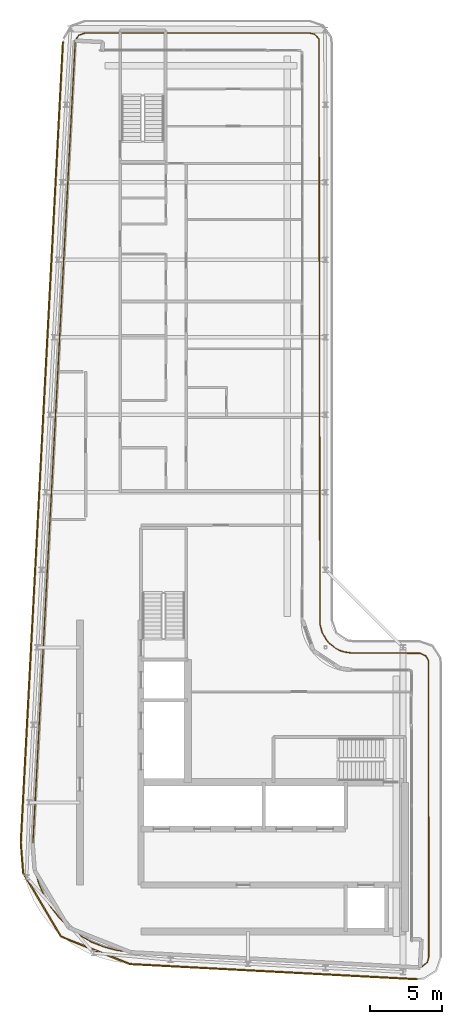
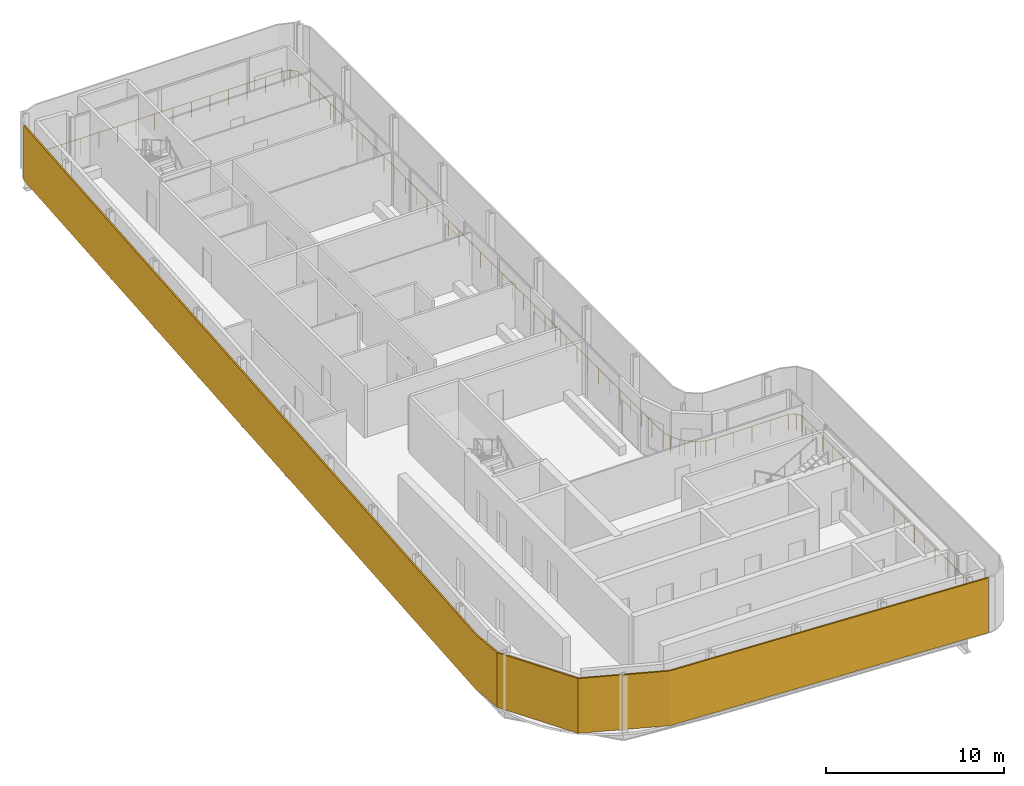
# One storey, part 14 of 17: 1 railing, 1 shading device.
"""IFC4 building model written with IfcOpenShell, lengths in metres."""

from ifc_helpers import new_model, si_unit, direction, frame, origin, origin_2d, place, context, subcontext, project, spatial, polyline, circle, outline, extrude, material, layer, layer_set, type_object, element, save


model = new_model("IFC4")

# Units and contexts
model_context = context("Model", 3, precision=1e-05, world=origin(), true_north=direction((0.0, 1.0)))
body_context = subcontext(model_context, "Body", "Model", "MODEL_VIEW")
ifc_project = project(units=[si_unit("LENGTHUNIT", "METRE"), si_unit("AREAUNIT", "SQUARE_METRE"), si_unit("VOLUMEUNIT", "CUBIC_METRE"), si_unit("PLANEANGLEUNIT", "RADIAN"), si_unit("MASSUNIT", "GRAM", prefix="KILO")], contexts=[model_context])

# Site, building, storey
site_placement = place(None, origin())
site = spatial("IfcSite", under=ifc_project, at=site_placement, CompositionType="ELEMENT")
building_placement = place(site_placement, origin())
building = spatial("IfcBuilding", under=site, at=building_placement, Name="Kheshtan School and Residences Tower", CompositionType="ELEMENT")
storey_placement = place(building_placement, frame((0.0, 0.0, 342.199951171875)))
storey = spatial("IfcBuildingStorey", under=building, at=storey_placement, Name="L80", CompositionType="ELEMENT", Elevation=342.199951171875)

# Shading device
ifc_material_1 = material(Name="Terracotta baguette, extruded ceramic", Category="masonry")
ifc_layer = layer(ifc_material_1, 0.10009765625)
ifc_layer_set = layer_set([ifc_layer], Name="Ledge screen, terracotta baguettes")
shading_device_type = type_object("IfcShadingDeviceType", Name="Ledge screen, terracotta baguettes", PredefinedType="USERDEFINED", material=ifc_layer_set)
shading_device_placement = place(storey_placement, origin())
element("IfcShadingDevice", 1, at=shading_device_placement, inside=storey, type_object=shading_device_type, Name="Screen L80 3", ObjectType="BAGUETTE", PredefinedType="USERDEFINED", context=body_context, shape_type="SweptSolid", body=[
    extrude(outline(polyline([(54.02099609375, 22.52490234375), (33.989013671875, 23.580078125), (29.2119140625, 25.486083984375), (26.583984375, 29.906982421875), (26.419921875, 31.989013671875), (29.35693359375, 87.779052734375), (29.257080078125, 87.783935546875), (26.320068359375, 31.988037109375), (26.486083984375, 29.8759765625), (29.14306640625, 25.406005859375), (33.967041015625, 23.48095703125), (54.01611328125, 22.425048828125), (54.02099609375, 22.52490234375)])), origin(), (0.0, 0.0, 1.0), 3.75),
])

# Railing
ifc_material_2 = material(Name="Stainless steel balustrade", Category="steel")
railing_type = type_object("IfcRailingType", Name="Loggia guard 1100", PredefinedType="GUARDRAIL", material=ifc_material_2)
railing_placement = place(storey_placement, frame((30.1689453125, 87.83203125, 0.0)))
element("IfcRailing", 2, at=railing_placement, inside=storey, type_object=railing_type, Name="Guard L80 1", PredefinedType="GUARDRAIL", context=body_context, shape_type="SweptSolid", body=[
    extrude(circle(Radius=0.02392578125, at=origin_2d()), frame((0.0, 0.0, 1.076171875), z_axis=(0.51100331778, 0.859578739394, 0.0), x_axis=(-0.859578739394, 0.51100331778, 0.0)), (0.0, 0.0, 1.0), 0.473388671875),
    extrude(circle(Radius=0.02392578125, at=origin_2d()), frame((0.241943359375, 0.406982421875, 1.076171875), z_axis=(0.946353513301, 0.323133142625, 0.0), x_axis=(-0.323133142625, 0.946353513301, 0.0)), (0.0, 0.0, 1.0), 0.497802734375),
    extrude(circle(Radius=0.02392578125, at=origin_2d()), frame((0.713134765625, 0.56787109375, 1.076171875), z_axis=(1.0, 0.0, 0.0), x_axis=(0.0, 1.0, 0.0)), (0.0, 0.0, 1.0), 15.5908203125),
    extrude(circle(Radius=0.02392578125, at=origin_2d()), frame((16.303955078125, 0.56787109375, 1.076171875), z_axis=(0.969584789188, -0.244755667095, 0.0), x_axis=(0.244755667095, 0.969584789188, 0.0)), (0.0, 0.0, 1.0), 0.387939453125),
    extrude(circle(Radius=0.02392578125, at=origin_2d()), frame((16.68017578125, 0.472900390625, 1.076171875), z_axis=(0.65881241803, -0.752307249632, 0.0), x_axis=(0.752307249632, 0.65881241803, 0.0)), (0.0, 0.0, 1.0), 0.44921875),
    extrude(circle(Radius=0.02392578125, at=origin_2d()), frame((16.97607421875, 0.135009765625, 1.076171875), z_axis=(0.001790566399, -0.999998396935, 0.0), x_axis=(0.999998396935, 0.001790566399, 0.0)), (0.0, 0.0, 1.0), 40.76806640625),
    extrude(circle(Radius=0.02392578125, at=origin_2d()), frame((17.049072265625, -40.633056640625, 1.076171875), z_axis=(0.258194066029, -0.966093072259, 0.0), x_axis=(0.966093072259, 0.258194066029, 0.0)), (0.0, 0.0, 1.0), 0.600341796875),
    extrude(circle(Radius=0.02392578125, at=origin_2d()), frame((17.2041015625, -41.213134765625, 1.076171875), z_axis=(0.500650830488, -0.865649320413, 0.0), x_axis=(0.865649320413, 0.500650830488, 0.0)), (0.0, 0.0, 1.0), 0.599365234375),
    extrude(circle(Radius=0.02392578125, at=origin_2d()), frame((17.504150390625, -41.73193359375, 1.076171875), z_axis=(0.657475962228, -0.753475519903, 0.0), x_axis=(0.753475519903, 0.657475962228, 0.0)), (0.0, 0.0, 1.0), 0.302734375),
    extrude(circle(Radius=0.02392578125, at=origin_2d()), frame((17.703125, -41.9599609375, 1.076171875), z_axis=(0.794207829635, -0.607646215611, 0.0), x_axis=(0.607646215611, 0.794207829635, 0.0)), (0.0, 0.0, 1.0), 0.6005859375),
    extrude(circle(Radius=0.02392578125, at=origin_2d()), frame((18.18017578125, -42.324951171875, 1.076171875), z_axis=(0.895558957072, -0.444942866455, 0.0), x_axis=(0.444942866455, 0.895558957072, 0.0)), (0.0, 0.0, 1.0), 0.30126953125),
    extrude(circle(Radius=0.02392578125, at=origin_2d()), frame((18.449951171875, -42.458984375, 1.076171875), z_axis=(0.946890871883, -0.321555091305, 0.0), x_axis=(0.321555091305, 0.946890871883, 0.0)), (0.0, 0.0, 1.0), 0.30224609375),
    extrude(circle(Radius=0.02392578125, at=origin_2d()), frame((18.736083984375, -42.55615234375, 1.076171875), z_axis=(0.991179452641, -0.132526573418, 0.0), x_axis=(0.132526573418, 0.991179452641, 0.0)), (0.0, 0.0, 1.0), 0.572998046875),
    extrude(circle(Radius=0.02392578125, at=origin_2d()), frame((19.303955078125, -42.632080078125, 1.076171875), z_axis=(0.999998541999, -0.001707630111, 0.0), x_axis=(0.001707630111, 0.999998541999, 0.0)), (0.0, 0.0, 1.0), 4.718017578125),
    extrude(circle(Radius=0.02392578125, at=origin_2d()), frame((24.02197265625, -42.64013671875, 1.076171875), z_axis=(0.897558100782, -0.440896196084, 0.0), x_axis=(0.440896196084, 0.897558100782, 0.0)), (0.0, 0.0, 1.0), 0.448974609375),
    extrude(circle(Radius=0.02392578125, at=origin_2d()), frame((24.425048828125, -42.838134765625, 1.076171875), z_axis=(0.498394889566, -0.866950133546, 0.0), x_axis=(0.866950133546, 0.498394889566, 0.0)), (0.0, 0.0, 1.0), 0.361083984375),
    extrude(circle(Radius=0.02392578125, at=origin_2d()), frame((24.60498046875, -43.151123046875, 1.076171875), z_axis=(0.001266271174, -0.999999198278, 0.0), x_axis=(0.999999198278, 0.001266271174, 0.0)), (0.0, 0.0, 1.0), 20.6298828125),
    extrude(circle(Radius=0.02392578125, at=origin_2d()), frame((24.631103515625, -63.781005859375, 1.076171875), z_axis=(-0.253805819319, -0.967255191808, 0.0), x_axis=(0.967255191808, -0.253805819319, 0.0)), (0.0, 0.0, 1.0), 0.402099609375),
    extrude(circle(Radius=0.02392578125, at=origin_2d()), frame((24.529052734375, -64.169921875, 1.076171875), z_axis=(-0.7708150077, -0.637059042715, 0.0), x_axis=(0.637059042715, -0.7708150077, 0.0)), (0.0, 0.0, 1.0), 0.4619140625),
    extrude(circle(Radius=0.02392578125, at=origin_2d()), frame((24.173095703125, -64.464111328125, 1.076171875), z_axis=(-0.990293977152, -0.138988628372, 0.0), x_axis=(0.138988628372, -0.990293977152, 0.0)), (0.0, 0.0, 1.0), 0.30908203125),
    extrude(circle(Radius=0.02392578125, at=origin_2d()), frame((23.866943359375, -64.507080078125, 1.076171875), z_axis=(-0.99861401751, 0.052631207781, 0.0), x_axis=(-0.052631207781, -0.99861401751, 0.0)), (0.0, 0.0, 1.0), 20.0068359375),
    extrude(circle(Radius=0.02392578125, at=origin_2d()), frame((3.887939453125, -63.4541015625, 1.076171875), z_axis=(-0.993152326572, 0.116826607521, 0.0), x_axis=(-0.116826607521, -0.993152326572, 0.0)), (0.0, 0.0, 1.0), 0.967529296875),
    extrude(circle(Radius=0.02392578125, at=origin_2d()), frame((2.927001953125, -63.341064453125, 1.076171875), z_axis=(-0.969142269941, 0.246502049918, 0.0), x_axis=(-0.246502049918, -0.969142269941, 0.0)), (0.0, 0.0, 1.0), 0.94091796875),
    extrude(circle(Radius=0.02392578125, at=origin_2d()), frame((2.01513671875, -63.109130859375, 1.076171875), z_axis=(-0.928440955332, 0.371480002775, 0.0), x_axis=(-0.371480002775, -0.928440955332, 0.0)), (0.0, 0.0, 1.0), 0.9423828125),
    extrude(circle(Radius=0.02392578125, at=origin_2d()), frame((1.14013671875, -62.759033203125, 1.076171875), z_axis=(-0.872673913379, 0.488303431187, 0.0), x_axis=(-0.488303431187, -0.872673913379, 0.0)), (0.0, 0.0, 1.0), 0.94189453125),
    extrude(circle(Radius=0.02392578125, at=origin_2d()), frame((0.318115234375, -62.299072265625, 1.076171875), z_axis=(-0.801336596607, 0.598213723462, 0.0), x_axis=(-0.598213723462, -0.801336596607, 0.0)), (0.0, 0.0, 1.0), 0.941162109375),
    extrude(circle(Radius=0.02392578125, at=origin_2d()), frame((-0.43603515625, -61.736083984375, 1.076171875), z_axis=(-0.71600013962, 0.69810013613, 0.0), x_axis=(-0.69810013613, -0.71600013962, 0.0)), (0.0, 0.0, 1.0), 0.941162109375),
    extrude(circle(Radius=0.02392578125, at=origin_2d()), frame((-1.10986328125, -61.0791015625, 1.076171875), z_axis=(-0.618862535768, 0.785499307334, 0.0), x_axis=(-0.785499307334, -0.618862535768, 0.0)), (0.0, 0.0, 1.0), 0.942138671875),
    extrude(circle(Radius=0.02392578125, at=origin_2d()), frame((-1.69287109375, -60.339111328125, 1.076171875), z_axis=(-0.510214927824, 0.860046933269, 0.0), x_axis=(-0.860046933269, -0.510214927824, 0.0)), (0.0, 0.0, 1.0), 0.940673828125),
    extrude(circle(Radius=0.02392578125, at=origin_2d()), frame((-2.1728515625, -59.530029296875, 1.076171875), z_axis=(-0.394763216191, 0.918782892278, 0.0), x_axis=(-0.918782892278, -0.394763216191, 0.0)), (0.0, 0.0, 1.0), 0.942626953125),
    extrude(circle(Radius=0.02392578125, at=origin_2d()), frame((-2.544921875, -58.6640625, 1.076171875), z_axis=(-0.272014427065, 0.962293173346, 0.0), x_axis=(-0.962293173346, -0.272014427065, 0.0)), (0.0, 0.0, 1.0), 0.94140625),
    extrude(circle(Radius=0.02392578125, at=origin_2d()), frame((-2.801025390625, -57.758056640625, 1.076171875), z_axis=(-0.143344445165, 0.989672860111, 0.0), x_axis=(-0.989672860111, -0.143344445165, 0.0)), (0.0, 0.0, 1.0), 0.94189453125),
    extrude(circle(Radius=0.02392578125, at=origin_2d()), frame((-2.93603515625, -56.825927734375, 1.076171875), z_axis=(-0.013382639841, 0.999910448466, 0.0), x_axis=(-0.999910448466, -0.013382639841, 0.0)), (0.0, 0.0, 1.0), 0.966796875),
    extrude(circle(Radius=0.02392578125, at=origin_2d()), frame((-2.948974609375, -55.859130859375, 1.076171875), z_axis=(0.052719646365, 0.998609352493, 0.0), x_axis=(-0.998609352493, 0.052719646365, 0.0)), (0.0, 0.0, 1.0), 55.93701171875),
    extrude(circle(Radius=0.02099609375, at=origin_2d()), origin(), (0.0, 0.0, 1.0), 1.052001953125),
    extrude(circle(Radius=0.02099609375, at=origin_2d()), frame((0.241943359375, 0.406982421875, 0.0)), (0.0, 0.0, 1.0), 1.052001953125),
    extrude(circle(Radius=0.02099609375, at=origin_2d()), frame((0.713134765625, 0.56787109375, 0.0)), (0.0, 0.0, 1.0), 1.052001953125),
    extrude(circle(Radius=0.02099609375, at=origin_2d()), frame((1.912353515625, 0.56787109375, 0.0)), (0.0, 0.0, 1.0), 1.052001953125),
    extrude(circle(Radius=0.02099609375, at=origin_2d()), frame((3.11181640625, 0.56787109375, 0.0)), (0.0, 0.0, 1.0), 1.052001953125),
    extrude(circle(Radius=0.02099609375, at=origin_2d()), frame((4.31103515625, 0.56787109375, 0.0)), (0.0, 0.0, 1.0), 1.052001953125),
    extrude(circle(Radius=0.02099609375, at=origin_2d()), frame((5.51025390625, 0.56787109375, 0.0)), (0.0, 0.0, 1.0), 1.052001953125),
    extrude(circle(Radius=0.02099609375, at=origin_2d()), frame((6.709716796875, 0.56787109375, 0.0)), (0.0, 0.0, 1.0), 1.052001953125),
    extrude(circle(Radius=0.02099609375, at=origin_2d()), frame((7.908935546875, 0.56787109375, 0.0)), (0.0, 0.0, 1.0), 1.052001953125),
    extrude(circle(Radius=0.02099609375, at=origin_2d()), frame((9.108154296875, 0.56787109375, 0.0)), (0.0, 0.0, 1.0), 1.052001953125),
    extrude(circle(Radius=0.02099609375, at=origin_2d()), frame((10.307373046875, 0.56787109375, 0.0)), (0.0, 0.0, 1.0), 1.052001953125),
    extrude(circle(Radius=0.02099609375, at=origin_2d()), frame((11.5068359375, 0.56787109375, 0.0)), (0.0, 0.0, 1.0), 1.052001953125),
    extrude(circle(Radius=0.02099609375, at=origin_2d()), frame((12.7060546875, 0.56787109375, 0.0)), (0.0, 0.0, 1.0), 1.052001953125),
    extrude(circle(Radius=0.02099609375, at=origin_2d()), frame((13.9052734375, 0.56787109375, 0.0)), (0.0, 0.0, 1.0), 1.052001953125),
    extrude(circle(Radius=0.02099609375, at=origin_2d()), frame((15.104736328125, 0.56787109375, 0.0)), (0.0, 0.0, 1.0), 1.052001953125),
    extrude(circle(Radius=0.02099609375, at=origin_2d()), frame((16.303955078125, 0.56787109375, 0.0)), (0.0, 0.0, 1.0), 1.052001953125),
    extrude(circle(Radius=0.02099609375, at=origin_2d()), frame((16.68017578125, 0.472900390625, 0.0)), (0.0, 0.0, 1.0), 1.052001953125),
    extrude(circle(Radius=0.02099609375, at=origin_2d()), frame((16.97607421875, 0.135009765625, 0.0)), (0.0, 0.0, 1.0), 1.052001953125),
    extrude(circle(Radius=0.02099609375, at=origin_2d()), frame((16.978271484375, -1.06396484375, 0.0)), (0.0, 0.0, 1.0), 1.052001953125),
    extrude(circle(Radius=0.02099609375, at=origin_2d()), frame((16.98046875, -2.26318359375, 0.0)), (0.0, 0.0, 1.0), 1.052001953125),
    extrude(circle(Radius=0.02099609375, at=origin_2d()), frame((16.982421875, -3.462158203125, 0.0)), (0.0, 0.0, 1.0), 1.052001953125),
    extrude(circle(Radius=0.02099609375, at=origin_2d()), frame((16.984619140625, -4.6611328125, 0.0)), (0.0, 0.0, 1.0), 1.052001953125),
    extrude(circle(Radius=0.02099609375, at=origin_2d()), frame((16.98681640625, -5.8603515625, 0.0)), (0.0, 0.0, 1.0), 1.052001953125),
    extrude(circle(Radius=0.02099609375, at=origin_2d()), frame((16.989013671875, -7.059326171875, 0.0)), (0.0, 0.0, 1.0), 1.052001953125),
    extrude(circle(Radius=0.02099609375, at=origin_2d()), frame((16.9912109375, -8.25830078125, 0.0)), (0.0, 0.0, 1.0), 1.052001953125),
    extrude(circle(Radius=0.02099609375, at=origin_2d()), frame((16.9931640625, -9.45751953125, 0.0)), (0.0, 0.0, 1.0), 1.052001953125),
    extrude(circle(Radius=0.02099609375, at=origin_2d()), frame((16.995361328125, -10.656494140625, 0.0)), (0.0, 0.0, 1.0), 1.052001953125),
    extrude(circle(Radius=0.02099609375, at=origin_2d()), frame((16.99755859375, -11.855712890625, 0.0)), (0.0, 0.0, 1.0), 1.052001953125),
    extrude(circle(Radius=0.02099609375, at=origin_2d()), frame((16.999755859375, -13.0546875, 0.0)), (0.0, 0.0, 1.0), 1.052001953125),
    extrude(circle(Radius=0.02099609375, at=origin_2d()), frame((17.001953125, -14.253662109375, 0.0)), (0.0, 0.0, 1.0), 1.052001953125),
    extrude(circle(Radius=0.02099609375, at=origin_2d()), frame((17.00390625, -15.452880859375, 0.0)), (0.0, 0.0, 1.0), 1.052001953125),
    extrude(circle(Radius=0.02099609375, at=origin_2d()), frame((17.006103515625, -16.65185546875, 0.0)), (0.0, 0.0, 1.0), 1.052001953125),
    extrude(circle(Radius=0.02099609375, at=origin_2d()), frame((17.00830078125, -17.850830078125, 0.0)), (0.0, 0.0, 1.0), 1.052001953125),
    extrude(circle(Radius=0.02099609375, at=origin_2d()), frame((17.010498046875, -19.050048828125, 0.0)), (0.0, 0.0, 1.0), 1.052001953125),
    extrude(circle(Radius=0.02099609375, at=origin_2d()), frame((17.0126953125, -20.2490234375, 0.0)), (0.0, 0.0, 1.0), 1.052001953125),
    extrude(circle(Radius=0.02099609375, at=origin_2d()), frame((17.0146484375, -21.447998046875, 0.0)), (0.0, 0.0, 1.0), 1.052001953125),
    extrude(circle(Radius=0.02099609375, at=origin_2d()), frame((17.016845703125, -22.647216796875, 0.0)), (0.0, 0.0, 1.0), 1.052001953125),
    extrude(circle(Radius=0.02099609375, at=origin_2d()), frame((17.01904296875, -23.84619140625, 0.0)), (0.0, 0.0, 1.0), 1.052001953125),
    extrude(circle(Radius=0.02099609375, at=origin_2d()), frame((17.021240234375, -25.045166015625, 0.0)), (0.0, 0.0, 1.0), 1.052001953125),
    extrude(circle(Radius=0.02099609375, at=origin_2d()), frame((17.023193359375, -26.244384765625, 0.0)), (0.0, 0.0, 1.0), 1.052001953125),
    extrude(circle(Radius=0.02099609375, at=origin_2d()), frame((17.025390625, -27.443359375, 0.0)), (0.0, 0.0, 1.0), 1.052001953125),
    extrude(circle(Radius=0.02099609375, at=origin_2d()), frame((17.027587890625, -28.642333984375, 0.0)), (0.0, 0.0, 1.0), 1.052001953125),
    extrude(circle(Radius=0.02099609375, at=origin_2d()), frame((17.02978515625, -29.841552734375, 0.0)), (0.0, 0.0, 1.0), 1.052001953125),
    extrude(circle(Radius=0.02099609375, at=origin_2d()), frame((17.031982421875, -31.04052734375, 0.0)), (0.0, 0.0, 1.0), 1.052001953125),
    extrude(circle(Radius=0.02099609375, at=origin_2d()), frame((17.033935546875, -32.23974609375, 0.0)), (0.0, 0.0, 1.0), 1.052001953125),
    extrude(circle(Radius=0.02099609375, at=origin_2d()), frame((17.0361328125, -33.438720703125, 0.0)), (0.0, 0.0, 1.0), 1.052001953125),
    extrude(circle(Radius=0.02099609375, at=origin_2d()), frame((17.038330078125, -34.6376953125, 0.0)), (0.0, 0.0, 1.0), 1.052001953125),
    extrude(circle(Radius=0.02099609375, at=origin_2d()), frame((17.04052734375, -35.8369140625, 0.0)), (0.0, 0.0, 1.0), 1.052001953125),
    extrude(circle(Radius=0.02099609375, at=origin_2d()), frame((17.042724609375, -37.035888671875, 0.0)), (0.0, 0.0, 1.0), 1.052001953125),
    extrude(circle(Radius=0.02099609375, at=origin_2d()), frame((17.044677734375, -38.23486328125, 0.0)), (0.0, 0.0, 1.0), 1.052001953125),
    extrude(circle(Radius=0.02099609375, at=origin_2d()), frame((17.046875, -39.43408203125, 0.0)), (0.0, 0.0, 1.0), 1.052001953125),
    extrude(circle(Radius=0.02099609375, at=origin_2d()), frame((17.049072265625, -40.633056640625, 0.0)), (0.0, 0.0, 1.0), 1.052001953125),
    extrude(circle(Radius=0.02099609375, at=origin_2d()), frame((17.2041015625, -41.213134765625, 0.0)), (0.0, 0.0, 1.0), 1.052001953125),
    extrude(circle(Radius=0.02099609375, at=origin_2d()), frame((17.504150390625, -41.73193359375, 0.0)), (0.0, 0.0, 1.0), 1.052001953125),
    extrude(circle(Radius=0.02099609375, at=origin_2d()), frame((17.703125, -41.9599609375, 0.0)), (0.0, 0.0, 1.0), 1.052001953125),
    extrude(circle(Radius=0.02099609375, at=origin_2d()), frame((18.18017578125, -42.324951171875, 0.0)), (0.0, 0.0, 1.0), 1.052001953125),
    extrude(circle(Radius=0.02099609375, at=origin_2d()), frame((18.449951171875, -42.458984375, 0.0)), (0.0, 0.0, 1.0), 1.052001953125),
    extrude(circle(Radius=0.02099609375, at=origin_2d()), frame((18.736083984375, -42.55615234375, 0.0)), (0.0, 0.0, 1.0), 1.052001953125),
    extrude(circle(Radius=0.02099609375, at=origin_2d()), frame((19.303955078125, -42.632080078125, 0.0)), (0.0, 0.0, 1.0), 1.052001953125),
    extrude(circle(Radius=0.02099609375, at=origin_2d()), frame((20.4833984375, -42.634033203125, 0.0)), (0.0, 0.0, 1.0), 1.052001953125),
    extrude(circle(Radius=0.02099609375, at=origin_2d()), frame((21.6630859375, -42.63623046875, 0.0)), (0.0, 0.0, 1.0), 1.052001953125),
    extrude(circle(Radius=0.02099609375, at=origin_2d()), frame((22.842529296875, -42.63818359375, 0.0)), (0.0, 0.0, 1.0), 1.052001953125),
    extrude(circle(Radius=0.02099609375, at=origin_2d()), frame((24.02197265625, -42.64013671875, 0.0)), (0.0, 0.0, 1.0), 1.052001953125),
    extrude(circle(Radius=0.02099609375, at=origin_2d()), frame((24.425048828125, -42.838134765625, 0.0)), (0.0, 0.0, 1.0), 1.052001953125),
    extrude(circle(Radius=0.02099609375, at=origin_2d()), frame((24.60498046875, -43.151123046875, 0.0)), (0.0, 0.0, 1.0), 1.052001953125),
    extrude(circle(Radius=0.02099609375, at=origin_2d()), frame((24.6064453125, -44.297119140625, 0.0)), (0.0, 0.0, 1.0), 1.052001953125),
    extrude(circle(Radius=0.02099609375, at=origin_2d()), frame((24.60791015625, -45.443359375, 0.0)), (0.0, 0.0, 1.0), 1.052001953125),
    extrude(circle(Radius=0.02099609375, at=origin_2d()), frame((24.609375, -46.58935546875, 0.0)), (0.0, 0.0, 1.0), 1.052001953125),
    extrude(circle(Radius=0.02099609375, at=origin_2d()), frame((24.61083984375, -47.735595703125, 0.0)), (0.0, 0.0, 1.0), 1.052001953125),
    extrude(circle(Radius=0.02099609375, at=origin_2d()), frame((24.6123046875, -48.881591796875, 0.0)), (0.0, 0.0, 1.0), 1.052001953125),
    extrude(circle(Radius=0.02099609375, at=origin_2d()), frame((24.61376953125, -50.02783203125, 0.0)), (0.0, 0.0, 1.0), 1.052001953125),
    extrude(circle(Radius=0.02099609375, at=origin_2d()), frame((24.615234375, -51.173828125, 0.0)), (0.0, 0.0, 1.0), 1.052001953125),
    extrude(circle(Radius=0.02099609375, at=origin_2d()), frame((24.61669921875, -52.320068359375, 0.0)), (0.0, 0.0, 1.0), 1.052001953125),
    extrude(circle(Radius=0.02099609375, at=origin_2d()), frame((24.6181640625, -53.466064453125, 0.0)), (0.0, 0.0, 1.0), 1.052001953125),
    extrude(circle(Radius=0.02099609375, at=origin_2d()), frame((24.619384765625, -54.612060546875, 0.0)), (0.0, 0.0, 1.0), 1.052001953125),
    extrude(circle(Radius=0.02099609375, at=origin_2d()), frame((24.620849609375, -55.75830078125, 0.0)), (0.0, 0.0, 1.0), 1.052001953125),
    extrude(circle(Radius=0.02099609375, at=origin_2d()), frame((24.622314453125, -56.904296875, 0.0)), (0.0, 0.0, 1.0), 1.052001953125),
    extrude(circle(Radius=0.02099609375, at=origin_2d()), frame((24.623779296875, -58.050537109375, 0.0)), (0.0, 0.0, 1.0), 1.052001953125),
    extrude(circle(Radius=0.02099609375, at=origin_2d()), frame((24.625244140625, -59.196533203125, 0.0)), (0.0, 0.0, 1.0), 1.052001953125),
    extrude(circle(Radius=0.02099609375, at=origin_2d()), frame((24.626708984375, -60.3427734375, 0.0)), (0.0, 0.0, 1.0), 1.052001953125),
    extrude(circle(Radius=0.02099609375, at=origin_2d()), frame((24.628173828125, -61.48876953125, 0.0)), (0.0, 0.0, 1.0), 1.052001953125),
    extrude(circle(Radius=0.02099609375, at=origin_2d()), frame((24.629638671875, -62.635009765625, 0.0)), (0.0, 0.0, 1.0), 1.052001953125),
    extrude(circle(Radius=0.02099609375, at=origin_2d()), frame((24.631103515625, -63.781005859375, 0.0)), (0.0, 0.0, 1.0), 1.052001953125),
    extrude(circle(Radius=0.02099609375, at=origin_2d()), frame((24.529052734375, -64.169921875, 0.0)), (0.0, 0.0, 1.0), 1.052001953125),
    extrude(circle(Radius=0.02099609375, at=origin_2d()), frame((24.173095703125, -64.464111328125, 0.0)), (0.0, 0.0, 1.0), 1.052001953125),
    extrude(circle(Radius=0.02099609375, at=origin_2d()), frame((23.866943359375, -64.507080078125, 0.0)), (0.0, 0.0, 1.0), 1.052001953125),
    extrude(circle(Radius=0.02099609375, at=origin_2d()), frame((22.691650390625, -64.445068359375, 0.0)), (0.0, 0.0, 1.0), 1.052001953125),
    extrude(circle(Radius=0.02099609375, at=origin_2d()), frame((21.516357421875, -64.38330078125, 0.0)), (0.0, 0.0, 1.0), 1.052001953125),
    extrude(circle(Radius=0.02099609375, at=origin_2d()), frame((20.34130859375, -64.3212890625, 0.0)), (0.0, 0.0, 1.0), 1.052001953125),
    extrude(circle(Radius=0.02099609375, at=origin_2d()), frame((19.166015625, -64.25927734375, 0.0)), (0.0, 0.0, 1.0), 1.052001953125),
    extrude(circle(Radius=0.02099609375, at=origin_2d()), frame((17.99072265625, -64.197265625, 0.0)), (0.0, 0.0, 1.0), 1.052001953125),
    extrude(circle(Radius=0.02099609375, at=origin_2d()), frame((16.8154296875, -64.135498046875, 0.0)), (0.0, 0.0, 1.0), 1.052001953125),
    extrude(circle(Radius=0.02099609375, at=origin_2d()), frame((15.640380859375, -64.073486328125, 0.0)), (0.0, 0.0, 1.0), 1.052001953125),
    extrude(circle(Radius=0.02099609375, at=origin_2d()), frame((14.465087890625, -64.011474609375, 0.0)), (0.0, 0.0, 1.0), 1.052001953125),
    extrude(circle(Radius=0.02099609375, at=origin_2d()), frame((13.289794921875, -63.94970703125, 0.0)), (0.0, 0.0, 1.0), 1.052001953125),
    extrude(circle(Radius=0.02099609375, at=origin_2d()), frame((12.114501953125, -63.8876953125, 0.0)), (0.0, 0.0, 1.0), 1.052001953125),
    extrude(circle(Radius=0.02099609375, at=origin_2d()), frame((10.939453125, -63.82568359375, 0.0)), (0.0, 0.0, 1.0), 1.052001953125),
    extrude(circle(Radius=0.02099609375, at=origin_2d()), frame((9.76416015625, -63.763916015625, 0.0)), (0.0, 0.0, 1.0), 1.052001953125),
    extrude(circle(Radius=0.02099609375, at=origin_2d()), frame((8.5888671875, -63.701904296875, 0.0)), (0.0, 0.0, 1.0), 1.052001953125),
    extrude(circle(Radius=0.02099609375, at=origin_2d()), frame((7.41357421875, -63.639892578125, 0.0)), (0.0, 0.0, 1.0), 1.052001953125),
    extrude(circle(Radius=0.02099609375, at=origin_2d()), frame((6.238525390625, -63.577880859375, 0.0)), (0.0, 0.0, 1.0), 1.052001953125),
    extrude(circle(Radius=0.02099609375, at=origin_2d()), frame((5.063232421875, -63.51611328125, 0.0)), (0.0, 0.0, 1.0), 1.052001953125),
    extrude(circle(Radius=0.02099609375, at=origin_2d()), frame((3.887939453125, -63.4541015625, 0.0)), (0.0, 0.0, 1.0), 1.052001953125),
    extrude(circle(Radius=0.02099609375, at=origin_2d()), frame((2.927001953125, -63.341064453125, 0.0)), (0.0, 0.0, 1.0), 1.052001953125),
    extrude(circle(Radius=0.02099609375, at=origin_2d()), frame((2.01513671875, -63.109130859375, 0.0)), (0.0, 0.0, 1.0), 1.052001953125),
    extrude(circle(Radius=0.02099609375, at=origin_2d()), frame((1.14013671875, -62.759033203125, 0.0)), (0.0, 0.0, 1.0), 1.052001953125),
    extrude(circle(Radius=0.02099609375, at=origin_2d()), frame((0.318115234375, -62.299072265625, 0.0)), (0.0, 0.0, 1.0), 1.052001953125),
    extrude(circle(Radius=0.02099609375, at=origin_2d()), frame((-0.43603515625, -61.736083984375, 0.0)), (0.0, 0.0, 1.0), 1.052001953125),
    extrude(circle(Radius=0.02099609375, at=origin_2d()), frame((-1.10986328125, -61.0791015625, 0.0)), (0.0, 0.0, 1.0), 1.052001953125),
    extrude(circle(Radius=0.02099609375, at=origin_2d()), frame((-1.69287109375, -60.339111328125, 0.0)), (0.0, 0.0, 1.0), 1.052001953125),
    extrude(circle(Radius=0.02099609375, at=origin_2d()), frame((-2.1728515625, -59.530029296875, 0.0)), (0.0, 0.0, 1.0), 1.052001953125),
    extrude(circle(Radius=0.02099609375, at=origin_2d()), frame((-2.544921875, -58.6640625, 0.0)), (0.0, 0.0, 1.0), 1.052001953125),
    extrude(circle(Radius=0.02099609375, at=origin_2d()), frame((-2.801025390625, -57.758056640625, 0.0)), (0.0, 0.0, 1.0), 1.052001953125),
    extrude(circle(Radius=0.02099609375, at=origin_2d()), frame((-2.93603515625, -56.825927734375, 0.0)), (0.0, 0.0, 1.0), 1.052001953125),
    extrude(circle(Radius=0.02099609375, at=origin_2d()), frame((-2.948974609375, -55.859130859375, 0.0)), (0.0, 0.0, 1.0), 1.052001953125),
    extrude(circle(Radius=0.02099609375, at=origin_2d()), frame((-2.88623046875, -54.670654296875, 0.0)), (0.0, 0.0, 1.0), 1.052001953125),
    extrude(circle(Radius=0.02099609375, at=origin_2d()), frame((-2.823486328125, -53.482177734375, 0.0)), (0.0, 0.0, 1.0), 1.052001953125),
    extrude(circle(Radius=0.02099609375, at=origin_2d()), frame((-2.7607421875, -52.293701171875, 0.0)), (0.0, 0.0, 1.0), 1.052001953125),
    extrude(circle(Radius=0.02099609375, at=origin_2d()), frame((-2.697998046875, -51.105224609375, 0.0)), (0.0, 0.0, 1.0), 1.052001953125),
    extrude(circle(Radius=0.02099609375, at=origin_2d()), frame((-2.63525390625, -49.916748046875, 0.0)), (0.0, 0.0, 1.0), 1.052001953125),
    extrude(circle(Radius=0.02099609375, at=origin_2d()), frame((-2.572509765625, -48.728271484375, 0.0)), (0.0, 0.0, 1.0), 1.052001953125),
    extrude(circle(Radius=0.02099609375, at=origin_2d()), frame((-2.509765625, -47.539794921875, 0.0)), (0.0, 0.0, 1.0), 1.052001953125),
    extrude(circle(Radius=0.02099609375, at=origin_2d()), frame((-2.447021484375, -46.35107421875, 0.0)), (0.0, 0.0, 1.0), 1.052001953125),
    extrude(circle(Radius=0.02099609375, at=origin_2d()), frame((-2.38427734375, -45.16259765625, 0.0)), (0.0, 0.0, 1.0), 1.052001953125),
    extrude(circle(Radius=0.02099609375, at=origin_2d()), frame((-2.321533203125, -43.97412109375, 0.0)), (0.0, 0.0, 1.0), 1.052001953125),
    extrude(circle(Radius=0.02099609375, at=origin_2d()), frame((-2.2587890625, -42.78564453125, 0.0)), (0.0, 0.0, 1.0), 1.052001953125),
    extrude(circle(Radius=0.02099609375, at=origin_2d()), frame((-2.196044921875, -41.59716796875, 0.0)), (0.0, 0.0, 1.0), 1.052001953125),
    extrude(circle(Radius=0.02099609375, at=origin_2d()), frame((-2.13330078125, -40.40869140625, 0.0)), (0.0, 0.0, 1.0), 1.052001953125),
    extrude(circle(Radius=0.02099609375, at=origin_2d()), frame((-2.070556640625, -39.22021484375, 0.0)), (0.0, 0.0, 1.0), 1.052001953125),
    extrude(circle(Radius=0.02099609375, at=origin_2d()), frame((-2.0078125, -38.03173828125, 0.0)), (0.0, 0.0, 1.0), 1.052001953125),
    extrude(circle(Radius=0.02099609375, at=origin_2d()), frame((-1.945068359375, -36.84326171875, 0.0)), (0.0, 0.0, 1.0), 1.052001953125),
    extrude(circle(Radius=0.02099609375, at=origin_2d()), frame((-1.88232421875, -35.65478515625, 0.0)), (0.0, 0.0, 1.0), 1.052001953125),
    extrude(circle(Radius=0.02099609375, at=origin_2d()), frame((-1.819580078125, -34.46630859375, 0.0)), (0.0, 0.0, 1.0), 1.052001953125),
    extrude(circle(Radius=0.02099609375, at=origin_2d()), frame((-1.7568359375, -33.27783203125, 0.0)), (0.0, 0.0, 1.0), 1.052001953125),
    extrude(circle(Radius=0.02099609375, at=origin_2d()), frame((-1.694091796875, -32.08935546875, 0.0)), (0.0, 0.0, 1.0), 1.052001953125),
    extrude(circle(Radius=0.02099609375, at=origin_2d()), frame((-1.63134765625, -30.90087890625, 0.0)), (0.0, 0.0, 1.0), 1.052001953125),
    extrude(circle(Radius=0.02099609375, at=origin_2d()), frame((-1.568603515625, -29.71240234375, 0.0)), (0.0, 0.0, 1.0), 1.052001953125),
    extrude(circle(Radius=0.02099609375, at=origin_2d()), frame((-1.505859375, -28.52392578125, 0.0)), (0.0, 0.0, 1.0), 1.052001953125),
    extrude(circle(Radius=0.02099609375, at=origin_2d()), frame((-1.443115234375, -27.335205078125, 0.0)), (0.0, 0.0, 1.0), 1.052001953125),
    extrude(circle(Radius=0.02099609375, at=origin_2d()), frame((-1.38037109375, -26.146728515625, 0.0)), (0.0, 0.0, 1.0), 1.052001953125),
    extrude(circle(Radius=0.02099609375, at=origin_2d()), frame((-1.317626953125, -24.958251953125, 0.0)), (0.0, 0.0, 1.0), 1.052001953125),
    extrude(circle(Radius=0.02099609375, at=origin_2d()), frame((-1.2548828125, -23.769775390625, 0.0)), (0.0, 0.0, 1.0), 1.052001953125),
    extrude(circle(Radius=0.02099609375, at=origin_2d()), frame((-1.192138671875, -22.581298828125, 0.0)), (0.0, 0.0, 1.0), 1.052001953125),
    extrude(circle(Radius=0.02099609375, at=origin_2d()), frame((-1.12939453125, -21.392822265625, 0.0)), (0.0, 0.0, 1.0), 1.052001953125),
    extrude(circle(Radius=0.02099609375, at=origin_2d()), frame((-1.066650390625, -20.204345703125, 0.0)), (0.0, 0.0, 1.0), 1.052001953125),
    extrude(circle(Radius=0.02099609375, at=origin_2d()), frame((-1.00390625, -19.015869140625, 0.0)), (0.0, 0.0, 1.0), 1.052001953125),
    extrude(circle(Radius=0.02099609375, at=origin_2d()), frame((-0.941162109375, -17.827392578125, 0.0)), (0.0, 0.0, 1.0), 1.052001953125),
    extrude(circle(Radius=0.02099609375, at=origin_2d()), frame((-0.87841796875, -16.638916015625, 0.0)), (0.0, 0.0, 1.0), 1.052001953125),
    extrude(circle(Radius=0.02099609375, at=origin_2d()), frame((-0.815673828125, -15.450439453125, 0.0)), (0.0, 0.0, 1.0), 1.052001953125),
    extrude(circle(Radius=0.02099609375, at=origin_2d()), frame((-0.7529296875, -14.261962890625, 0.0)), (0.0, 0.0, 1.0), 1.052001953125),
    extrude(circle(Radius=0.02099609375, at=origin_2d()), frame((-0.690185546875, -13.073486328125, 0.0)), (0.0, 0.0, 1.0), 1.052001953125),
    extrude(circle(Radius=0.02099609375, at=origin_2d()), frame((-0.62744140625, -11.885009765625, 0.0)), (0.0, 0.0, 1.0), 1.052001953125),
    extrude(circle(Radius=0.02099609375, at=origin_2d()), frame((-0.564697265625, -10.696533203125, 0.0)), (0.0, 0.0, 1.0), 1.052001953125),
    extrude(circle(Radius=0.02099609375, at=origin_2d()), frame((-0.501953125, -9.508056640625, 0.0)), (0.0, 0.0, 1.0), 1.052001953125),
    extrude(circle(Radius=0.02099609375, at=origin_2d()), frame((-0.439208984375, -8.3193359375, 0.0)), (0.0, 0.0, 1.0), 1.052001953125),
    extrude(circle(Radius=0.02099609375, at=origin_2d()), frame((-0.37646484375, -7.130859375, 0.0)), (0.0, 0.0, 1.0), 1.052001953125),
    extrude(circle(Radius=0.02099609375, at=origin_2d()), frame((-0.313720703125, -5.9423828125, 0.0)), (0.0, 0.0, 1.0), 1.052001953125),
    extrude(circle(Radius=0.02099609375, at=origin_2d()), frame((-0.2509765625, -4.75390625, 0.0)), (0.0, 0.0, 1.0), 1.052001953125),
    extrude(circle(Radius=0.02099609375, at=origin_2d()), frame((-0.188232421875, -3.5654296875, 0.0)), (0.0, 0.0, 1.0), 1.052001953125),
    extrude(circle(Radius=0.02099609375, at=origin_2d()), frame((-0.12548828125, -2.376953125, 0.0)), (0.0, 0.0, 1.0), 1.052001953125),
    extrude(circle(Radius=0.02099609375, at=origin_2d()), frame((-0.062744140625, -1.1884765625, 0.0)), (0.0, 0.0, 1.0), 1.052001953125),
])

save(model, "model.ifc")
